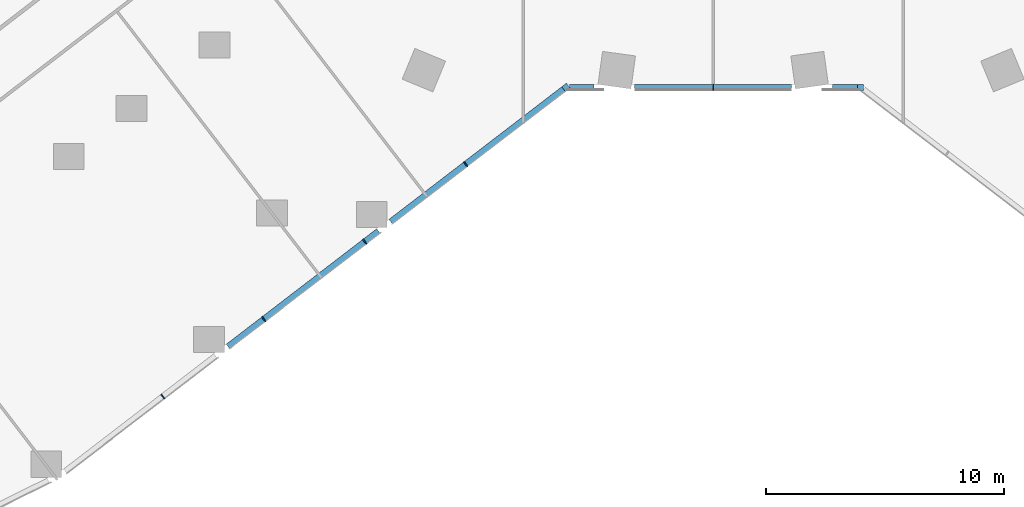
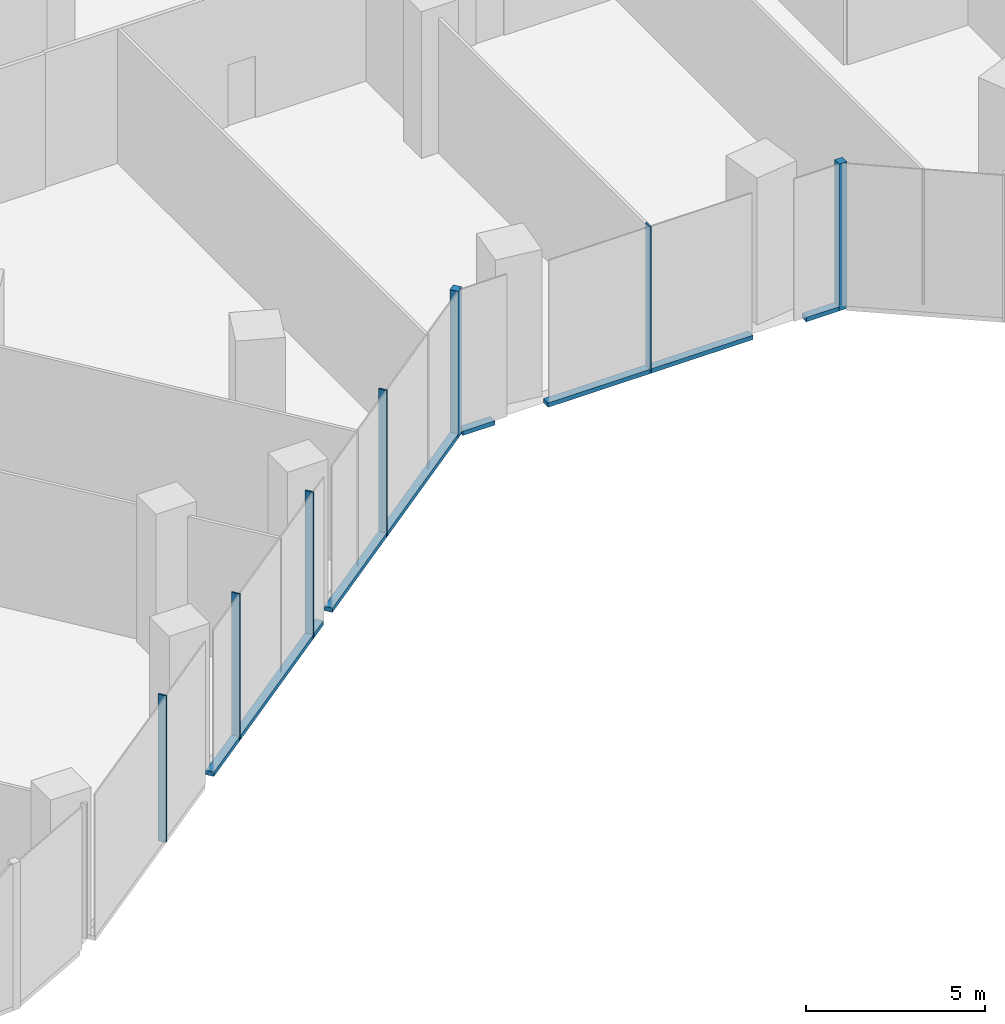
# One storey, part 4 of 29: 12 members, 2 elements without a shape of their own.
"""IFC4 building model written with IfcOpenShell, lengths in metres."""

from ifc_helpers import new_model, si_unit, direction, frame, origin, origin_2d, place, context, subcontext, project, spatial, rectangle, extrude, material, material_profile, profile_set, type_object, element, aggregate, save


model = new_model("IFC4")

# Units and contexts
model_context = context("Model", 3, precision=1e-05, world=origin(), true_north=direction((0.0, 1.0)))
body_context = subcontext(model_context, "Body", "Model", "MODEL_VIEW")
ifc_project = project(units=[si_unit("LENGTHUNIT", "METRE"), si_unit("AREAUNIT", "SQUARE_METRE"), si_unit("VOLUMEUNIT", "CUBIC_METRE"), si_unit("PLANEANGLEUNIT", "RADIAN"), si_unit("MASSUNIT", "GRAM", prefix="KILO")], contexts=[model_context])

# Site, building, storey
site_placement = place(None, origin())
site = spatial("IfcSite", under=ifc_project, at=site_placement, CompositionType="ELEMENT")
building_placement = place(site_placement, origin())
building = spatial("IfcBuilding", under=site, at=building_placement, Name="Orlundy Tower", CompositionType="ELEMENT")
storey_placement = place(building_placement, frame((0.0, 0.0, 15.5)))
storey = spatial("IfcBuildingStorey", under=building, at=storey_placement, Name="L02", CompositionType="ELEMENT", Elevation=15.5)

# Curtain wall, member
ifc_material_1 = material(Name="Aluminium bronze anodised", Category="aluminium")
curtain_wall_type = type_object("IfcCurtainWallType", Name="CW2 wall", PredefinedType="NOTDEFINED", material=ifc_material_1)
curtain_wall_1_placement = place(storey_placement, origin())
curtain_wall_1 = element("IfcCurtainWall", 1, at=curtain_wall_1_placement, inside=storey, type_object=curtain_wall_type, Name="CW2 run 01", PredefinedType="NOTDEFINED")
ifc_material_2 = material(Name="Aluminium bronze anodised", Category="aluminium")
ifc_material_profile_1 = material_profile(ifc_material_2, rectangle(XDim=0.25, YDim=0.25, at=origin_2d()), Name="CW2 corner post 250x250")
ifc_profile_set_1 = profile_set([ifc_material_profile_1], Name="Aluminium bronze anodised")
member_type_1 = type_object("IfcMemberType", Name="CW2 corner post 250x250", PredefinedType="MULLION", material=ifc_profile_set_1)
member_1_placement = place(storey_placement, frame((6.20068359375, -30.125, -0.39990234375), z_axis=(0.0, 0.0, 1.0), x_axis=(0.0, -1.0, 0.0)))
member_1 = element("IfcMember", 2, at=member_1_placement, type_object=member_type_1, Name="CW2 mullion 7", PredefinedType="MULLION", context=body_context, shape_type="SweptSolid", body=[
    extrude(rectangle(XDim=0.25, YDim=0.25, at=origin_2d()), origin(), (0.0, 0.0, 1.0), 5.0),
])

curtain_wall_2_placement = place(storey_placement, origin())
curtain_wall_2 = element("IfcCurtainWall", 3, at=curtain_wall_2_placement, inside=storey, type_object=curtain_wall_type, Name="CW2 run 02", PredefinedType="NOTDEFINED")
member_2_placement = place(storey_placement, frame((-6.20068359375, -30.125, -0.39990234375), z_axis=(0.0, 0.0, 1.0), x_axis=(0.608763046543, -0.793352099111, 0.0)))
member_2 = element("IfcMember", 4, at=member_2_placement, type_object=member_type_1, Name="CW2 mullion 9", PredefinedType="MULLION", context=body_context, shape_type="SweptSolid", body=[
    extrude(rectangle(XDim=0.25, YDim=0.25, at=origin_2d()), origin(), (0.0, 0.0, 1.0), 5.0),
])

# Member
ifc_material_3 = material(Name="Aluminium bronze anodised", Category="aluminium")
ifc_material_profile_2 = material_profile(ifc_material_3, rectangle(XDim=0.25, YDim=0.050048828125, at=origin_2d()), Name="CW2 mullion 50x250")
ifc_profile_set_2 = profile_set([ifc_material_profile_2], Name="Aluminium bronze anodised")
member_type_2 = type_object("IfcMemberType", Name="CW2 mullion 50x250", PredefinedType="MULLION", material=ifc_profile_set_2)
member_3_placement = place(storey_placement, frame((0.0, -30.125, -0.39990234375), z_axis=(0.0, 0.0, 1.0), x_axis=(0.0, -1.0, 0.0)))
member_3 = element("IfcMember", 5, at=member_3_placement, type_object=member_type_2, Name="CW2 mullion 8", PredefinedType="MULLION", context=body_context, shape_type="SweptSolid", body=[
    extrude(rectangle(XDim=0.25, YDim=0.050048828125, at=origin_2d()), origin(), (0.0, 0.0, 1.0), 5.0),
])

member_4_placement = place(storey_placement, frame((-10.416748046875, -33.360107421875, -0.39990234375), z_axis=(0.0, 0.0, 1.0), x_axis=(0.608763046543, -0.793352099111, 0.0)))
member_4 = element("IfcMember", 6, at=member_4_placement, type_object=member_type_2, Name="CW2 mullion 10", PredefinedType="MULLION", context=body_context, shape_type="SweptSolid", body=[
    extrude(rectangle(XDim=0.25, YDim=0.050048828125, at=origin_2d()), origin(), (0.0, 0.0, 1.0), 5.0),
])

member_5_placement = place(storey_placement, frame((-14.66650390625, -36.62109375, -0.39990234375), z_axis=(0.0, 0.0, 1.0), x_axis=(0.608763046543, -0.793352099111, 0.0)))
member_5 = element("IfcMember", 7, at=member_5_placement, type_object=member_type_2, Name="CW2 mullion 11", PredefinedType="MULLION", context=body_context, shape_type="SweptSolid", body=[
    extrude(rectangle(XDim=0.25, YDim=0.050048828125, at=origin_2d()), origin(), (0.0, 0.0, 1.0), 5.0),
])

member_6_placement = place(storey_placement, frame((-18.916259765625, -39.882080078125, -0.39990234375), z_axis=(0.0, 0.0, 1.0), x_axis=(0.608763046543, -0.793352099111, 0.0)))
member_6 = element("IfcMember", 8, at=member_6_placement, type_object=member_type_2, Name="CW2 mullion 12", PredefinedType="MULLION", context=body_context, shape_type="SweptSolid", body=[
    extrude(rectangle(XDim=0.25, YDim=0.050048828125, at=origin_2d()), origin(), (0.0, 0.0, 1.0), 5.0),
])

member_7_placement = place(storey_placement, frame((-23.166015625, -43.14306640625, -0.39990234375), z_axis=(0.0, 0.0, 1.0), x_axis=(0.608763046543, -0.793352099111, 0.0)))
member_7 = element("IfcMember", 9, at=member_7_placement, type_object=member_type_2, Name="CW2 mullion 13", PredefinedType="MULLION", context=body_context, shape_type="SweptSolid", body=[
    extrude(rectangle(XDim=0.25, YDim=0.050048828125, at=origin_2d()), origin(), (0.0, 0.0, 1.0), 5.0),
])

ifc_material_4 = material(Name="Aluminium bronze anodised", Category="aluminium")
ifc_material_profile_3 = material_profile(ifc_material_4, rectangle(XDim=0.25, YDim=0.14990234375, at=origin_2d()), Name="CW2 transom 250x150")
ifc_profile_set_3 = profile_set([ifc_material_profile_3], Name="Aluminium bronze anodised")
member_type_3 = type_object("IfcMemberType", Name="CW2 transom 250x150", PredefinedType="USERDEFINED", material=ifc_profile_set_3)
member_8_placement = place(storey_placement, frame((6.07568359375, -30.125, -0.324951171875), z_axis=(-1.0, 0.0, 0.0), x_axis=(0.0, -1.0, 0.0)))
member_8 = element("IfcMember", 10, at=member_8_placement, type_object=member_type_3, Name="CW2 transom", ObjectType="TRANSOM", PredefinedType="USERDEFINED", context=body_context, shape_type="SweptSolid", body=[
    extrude(rectangle(XDim=0.25, YDim=0.14990234375, at=origin_2d()), origin(), (0.0, 0.0, 1.0), 1.05859375),
])

member_9_placement = place(storey_placement, frame((3.301025390625, -30.125, -0.324951171875), z_axis=(-1.0, 0.0, 0.0), x_axis=(0.0, -1.0, 0.0)))
member_9 = element("IfcMember", 11, at=member_9_placement, type_object=member_type_3, Name="CW2 transom", ObjectType="TRANSOM", PredefinedType="USERDEFINED", context=body_context, shape_type="SweptSolid", body=[
    extrude(rectangle(XDim=0.25, YDim=0.14990234375, at=origin_2d()), origin(), (0.0, 0.0, 1.0), 6.60205078125),
])

member_10_placement = place(storey_placement, frame((-5.01708984375, -30.125, -0.324951171875), z_axis=(-1.0, 0.0, 0.0), x_axis=(0.0, -1.0, 0.0)))
member_10 = element("IfcMember", 12, at=member_10_placement, type_object=member_type_3, Name="CW2 transom", ObjectType="TRANSOM", PredefinedType="USERDEFINED", context=body_context, shape_type="SweptSolid", body=[
    extrude(rectangle(XDim=0.25, YDim=0.14990234375, at=origin_2d()), origin(), (0.0, 0.0, 1.0), 1.02587890625),
])

aggregate(curtain_wall_1, [member_1, member_3, member_8, member_9, member_10])

member_11_placement = place(storey_placement, frame((-6.2998046875, -30.201171875, -0.324951171875), z_axis=(-0.793357195735, -0.608756404463, 0.0), x_axis=(0.608756404463, -0.793357195735, 0.0)))
member_11 = element("IfcMember", 13, at=member_11_placement, type_object=member_type_3, Name="CW2 transom", ObjectType="TRANSOM", PredefinedType="USERDEFINED", context=body_context, shape_type="SweptSolid", body=[
    extrude(rectangle(XDim=0.25, YDim=0.14990234375, at=origin_2d()), origin(), (0.0, 0.0, 1.0), 9.1650390625),
])

member_12_placement = place(storey_placement, frame((-14.091552734375, -36.179931640625, -0.324951171875), z_axis=(-0.793351608678, -0.608763685684, 0.0), x_axis=(0.608763685684, -0.793351608678, 0.0)))
member_12 = element("IfcMember", 14, at=member_12_placement, type_object=member_type_3, Name="CW2 transom", ObjectType="TRANSOM", PredefinedType="USERDEFINED", context=body_context, shape_type="SweptSolid", body=[
    extrude(rectangle(XDim=0.25, YDim=0.14990234375, at=origin_2d()), origin(), (0.0, 0.0, 1.0), 7.976806640625),
])

aggregate(curtain_wall_2, [member_2, member_4, member_5, member_6, member_7, member_11, member_12])

save(model, "model.ifc")
